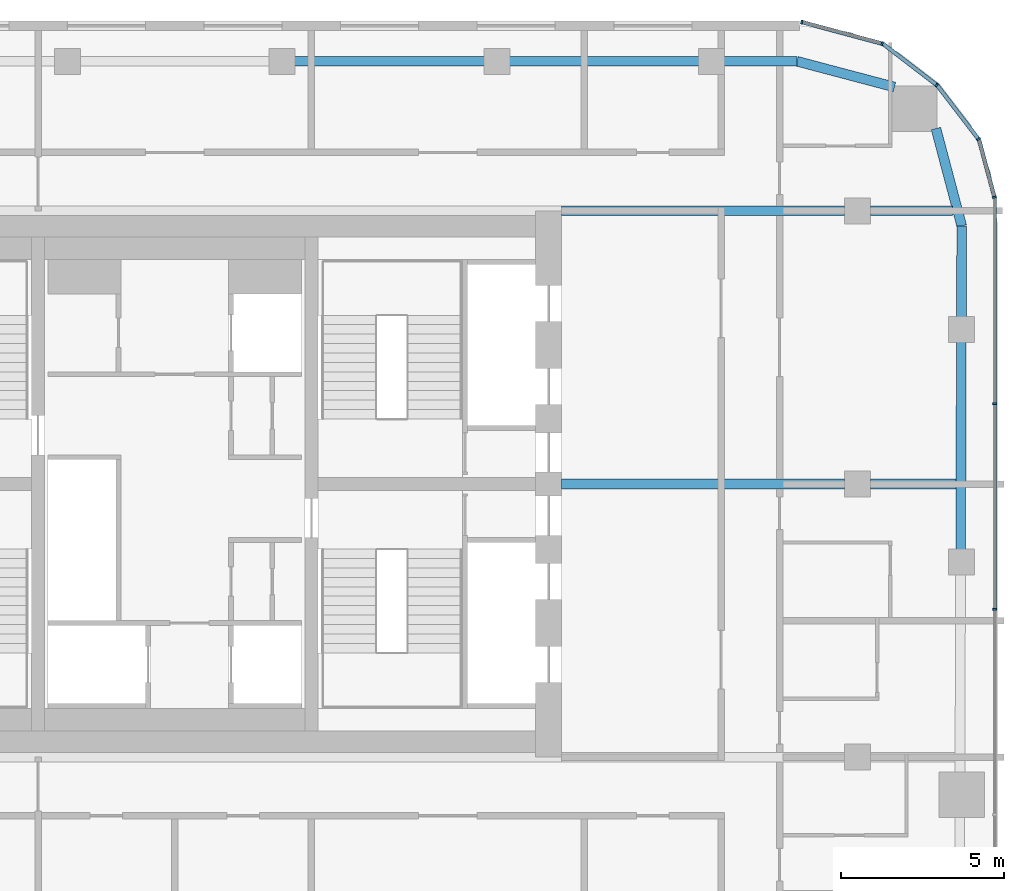
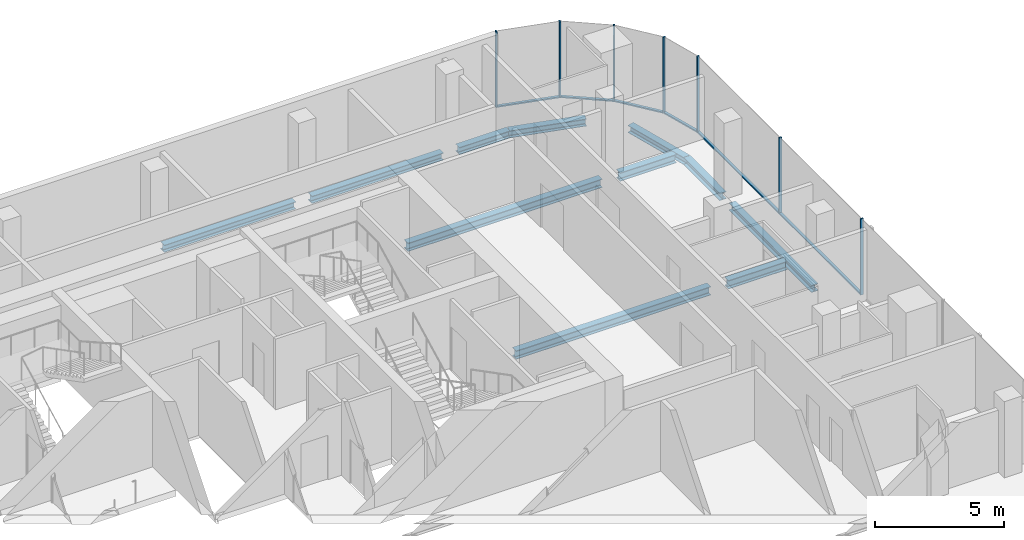
# One storey, part 11 of 22: 13 members, 11 beams, 5 elements without a shape of their own.
"""IFC4 building model written with IfcOpenShell, lengths in metres."""

from ifc_helpers import new_model, si_unit, direction, frame, origin, origin_2d, place, context, subcontext, project, spatial, rectangle, i_section, extrude, material, layer, layer_set, material_profile, profile_set, type_object, element, aggregate, save


model = new_model("IFC4")

# Units and contexts
model_context = context("Model", 3, precision=1e-05, world=origin(), true_north=direction((0.0, 1.0)))
body_context = subcontext(model_context, "Body", "Model", "MODEL_VIEW")
ifc_project = project(units=[si_unit("LENGTHUNIT", "METRE"), si_unit("AREAUNIT", "SQUARE_METRE"), si_unit("VOLUMEUNIT", "CUBIC_METRE"), si_unit("PLANEANGLEUNIT", "RADIAN"), si_unit("MASSUNIT", "GRAM", prefix="KILO")], contexts=[model_context])

# Site, building, storey
site_placement = place(None, origin())
site = spatial("IfcSite", under=ifc_project, at=site_placement, CompositionType="ELEMENT")
building_placement = place(site_placement, origin())
building = spatial("IfcBuilding", under=site, at=building_placement, Name="Marenta Gate Hotel Tower", CompositionType="ELEMENT")
storey_placement = place(building_placement, frame((0.0, 0.0, 187.699951171875)))
storey = spatial("IfcBuildingStorey", under=building, at=storey_placement, Name="L42", CompositionType="ELEMENT", Elevation=187.699951171875)

# Beams
ifc_material_1 = material(Name="Steel S355", Category="steel")
ifc_material_profile_1 = material_profile(ifc_material_1, i_section(OverallWidth=0.300048828125, OverallDepth=0.340087890625, WebThickness=0.011962890625, FlangeThickness=0.021484375, FilletRadius=0.027099609375, at=origin_2d()), Name="HEB 340")
ifc_profile_set_1 = profile_set([ifc_material_profile_1], Name="Steel S355")
beam_type_1 = type_object("IfcBeamType", Name="Edge beam HEB 340", PredefinedType="SPANDREL", material=ifc_profile_set_1)
for number, where, z_axis, x_axis, name in (
    (1, (3.661376953125, 21.39990234375, -0.429931640625), (1.0, 0.0, 0.0), (0.0, 1.0, 0.0), "L42-EB-17"),
    (2, (10.26416015625, 21.39990234375, -0.429931640625), (1.0, 0.0, 0.0), (0.0, 1.0, 0.0), "L42-EB-18"),
):
    element("IfcBeam", number, at=place(storey_placement, frame(where, z_axis=z_axis, x_axis=x_axis)), inside=storey, type_object=beam_type_1, Name=name, PredefinedType="SPANDREL", context=body_context, shape_type="SweptSolid", body=[
        extrude(i_section(OverallWidth=0.300048828125, OverallDepth=0.340087890625, WebThickness=0.011962890625, FlangeThickness=0.021484375, FilletRadius=0.027099609375, at=origin_2d()), origin(), (0.0, 0.0, 1.0), 5.8828125),
    ])
beam_1_placement = place(storey_placement, frame((16.866943359375, 21.39990234375, -0.429931640625), z_axis=(1.0, 0.0, 0.0), x_axis=(0.0, 1.0, 0.0)))
element("IfcBeam", 3, at=beam_1_placement, inside=storey, type_object=beam_type_1, Name="L42-EB-19", PredefinedType="SPANDREL", context=body_context, shape_type="SweptSolid", body=[
    extrude(i_section(OverallWidth=0.300048828125, OverallDepth=0.340087890625, WebThickness=0.011962890625, FlangeThickness=0.021484375, FilletRadius=0.027099609375, at=origin_2d()), origin(), (0.0, 0.0, 1.0), 2.267578125),
])
beam_2_placement = place(storey_placement, frame((19.134521484375, 21.39990234375, -0.429931640625), z_axis=(0.9667647815, -0.25566747398, 0.0), x_axis=(0.25566747398, 0.9667647815, 0.0)))
element("IfcBeam", 4, at=beam_2_placement, inside=storey, type_object=beam_type_1, Name="L42-EB-20", PredefinedType="SPANDREL", context=body_context, shape_type="SweptSolid", body=[
    extrude(i_section(OverallWidth=0.300048828125, OverallDepth=0.340087890625, WebThickness=0.011962890625, FlangeThickness=0.021484375, FilletRadius=0.027099609375, at=origin_2d()), origin(), (0.0, 0.0, 1.0), 3.1005859375),
])
beam_3_placement = place(storey_placement, frame((23.4072265625, 19.332275390625, -0.429931640625), z_axis=(0.255648013319, -0.966769927794, 0.0), x_axis=(0.966769927794, 0.255648013319, 0.0)))
element("IfcBeam", 5, at=beam_3_placement, inside=storey, type_object=beam_type_1, Name="L42-EB-21", PredefinedType="SPANDREL", context=body_context, shape_type="SweptSolid", body=[
    extrude(i_section(OverallWidth=0.300048828125, OverallDepth=0.340087890625, WebThickness=0.011962890625, FlangeThickness=0.021484375, FilletRadius=0.027099609375, at=origin_2d()), origin(), (0.0, 0.0, 1.0), 3.100830078125),
])
beam_4_placement = place(storey_placement, frame((24.199951171875, 16.33447265625, -0.429931640625), z_axis=(-0.003292020626, -0.999994581285, 0.0), x_axis=(0.999994581285, -0.003292020626, 0.0)))
element("IfcBeam", 6, at=beam_4_placement, inside=storey, type_object=beam_type_1, Name="L42-EB-22", PredefinedType="SPANDREL", context=body_context, shape_type="SweptSolid", body=[
    extrude(i_section(OverallWidth=0.300048828125, OverallDepth=0.340087890625, WebThickness=0.011962890625, FlangeThickness=0.021484375, FilletRadius=0.027099609375, at=origin_2d()), origin(), (0.0, 0.0, 1.0), 2.818115234375),
])
beam_5_placement = place(storey_placement, frame((24.188232421875, 12.79638671875, -0.429931640625), z_axis=(-0.00333963982, -0.999994423387, 0.0), x_axis=(0.999994423387, -0.00333963982, 0.0)))
element("IfcBeam", 7, at=beam_5_placement, inside=storey, type_object=beam_type_1, Name="L42-EB-23", PredefinedType="SPANDREL", context=body_context, shape_type="SweptSolid", body=[
    extrude(i_section(OverallWidth=0.300048828125, OverallDepth=0.340087890625, WebThickness=0.011962890625, FlangeThickness=0.021484375, FilletRadius=0.027099609375, at=origin_2d()), origin(), (0.0, 0.0, 1.0), 6.43310546875),
])
ifc_material_2 = material(Name="Steel S355", Category="steel")
ifc_material_profile_2 = material_profile(ifc_material_2, i_section(OverallWidth=0.300048828125, OverallDepth=0.39990234375, WebThickness=0.013427734375, FlangeThickness=0.02392578125, FilletRadius=0.027099609375, at=origin_2d()), Name="HEB 400")
ifc_profile_set_2 = profile_set([ifc_material_profile_2], Name="Steel S355")
beam_type_2 = type_object("IfcBeamType", Name="Girder HEB 400", PredefinedType="BEAM", material=ifc_profile_set_2)
beam_6_placement = place(storey_placement, frame((11.89990234375, 8.39990234375, -0.4599609375), z_axis=(1.0, 0.0, 0.0), x_axis=(0.0, 1.0, 0.0)))
element("IfcBeam", 8, at=beam_6_placement, inside=storey, type_object=beam_type_2, Name="L42-GD-27", PredefinedType="BEAM", context=body_context, shape_type="SweptSolid", body=[
    extrude(i_section(OverallWidth=0.300048828125, OverallDepth=0.39990234375, WebThickness=0.013427734375, FlangeThickness=0.02392578125, FilletRadius=0.027099609375, at=origin_2d()), origin(), (0.0, 0.0, 1.0), 8.7001953125),
])
beam_7_placement = place(storey_placement, frame((21.39990234375, 8.39990234375, -0.4599609375), z_axis=(1.0, 0.0, 0.0), x_axis=(0.0, 1.0, 0.0)))
element("IfcBeam", 9, at=beam_7_placement, inside=storey, type_object=beam_type_2, Name="L42-GD-28", PredefinedType="BEAM", context=body_context, shape_type="SweptSolid", body=[
    extrude(i_section(OverallWidth=0.300048828125, OverallDepth=0.39990234375, WebThickness=0.013427734375, FlangeThickness=0.02392578125, FilletRadius=0.027099609375, at=origin_2d()), origin(), (0.0, 0.0, 1.0), 2.623779296875),
])
beam_8_placement = place(storey_placement, frame((11.89990234375, 16.800048828125, -0.4599609375), z_axis=(1.0, 0.0, 0.0), x_axis=(0.0, 1.0, 0.0)))
element("IfcBeam", 10, at=beam_8_placement, inside=storey, type_object=beam_type_2, Name="L42-GD-32", PredefinedType="BEAM", context=body_context, shape_type="SweptSolid", body=[
    extrude(i_section(OverallWidth=0.300048828125, OverallDepth=0.39990234375, WebThickness=0.013427734375, FlangeThickness=0.02392578125, FilletRadius=0.027099609375, at=origin_2d()), origin(), (0.0, 0.0, 1.0), 8.7001953125),
])
beam_9_placement = place(storey_placement, frame((21.39990234375, 16.800048828125, -0.4599609375), z_axis=(1.0, 0.0, 0.0), x_axis=(0.0, 1.0, 0.0)))
element("IfcBeam", 11, at=beam_9_placement, inside=storey, type_object=beam_type_2, Name="L42-GD-33", PredefinedType="BEAM", context=body_context, shape_type="SweptSolid", body=[
    extrude(i_section(OverallWidth=0.300048828125, OverallDepth=0.39990234375, WebThickness=0.013427734375, FlangeThickness=0.02392578125, FilletRadius=0.027099609375, at=origin_2d()), origin(), (0.0, 0.0, 1.0), 2.521728515625),
])

# Curtain wall, members
ifc_material_3 = material(Name="Tinted insulated glass in bronze anodised frame", Category="glass")
ifc_layer = layer(ifc_material_3, 0.1201171875)
ifc_layer_set = layer_set([ifc_layer], Name="Tinted insulated glass in bronze anodised frame")
curtain_wall_type = type_object("IfcCurtainWallType", Name="Tower unitised curtain wall CW1", PredefinedType="NOTDEFINED", material=ifc_layer_set)
curtain_wall_1_placement = place(storey_placement, origin())
curtain_wall_1 = element("IfcCurtainWall", 12, at=curtain_wall_1_placement, inside=storey, type_object=curtain_wall_type, Name="CW1 run G11", PredefinedType="NOTDEFINED")
ifc_material_4 = material(Name="Bronze anodised aluminium", Category="aluminium")
ifc_material_profile_3 = material_profile(ifc_material_4, rectangle(XDim=0.1201171875, YDim=0.06005859375, at=origin_2d()), Name="Mullion CW1 60x120 bronze anodised aluminium")
ifc_profile_set_3 = profile_set([ifc_material_profile_3], Name="Bronze anodised aluminium")
member_type_1 = type_object("IfcMemberType", Name="Mullion CW1 60x120 bronze anodised aluminium", PredefinedType="MULLION", material=ifc_profile_set_3)
member_1_placement = place(storey_placement, frame((25.214111328125, 4.546630859375, 0.0), z_axis=(0.0, 0.0, 1.0), x_axis=(-1.0, 0.0, 0.0)))
member_1 = element("IfcMember", 13, at=member_1_placement, type_object=member_type_1, Name="CW1 mullion 5", PredefinedType="MULLION", context=body_context, shape_type="SweptSolid", body=[
    extrude(rectangle(XDim=0.1201171875, YDim=0.06005859375, at=origin_2d()), origin(), (0.0, 0.0, 1.0), 3.60009765625),
])
member_2_placement = place(storey_placement, frame((25.214111328125, 10.869384765625, 0.0), z_axis=(0.0, 0.0, 1.0), x_axis=(-1.0, 0.0, 0.0)))
member_2 = element("IfcMember", 14, at=member_2_placement, type_object=member_type_1, Name="CW1 mullion 6", PredefinedType="MULLION", context=body_context, shape_type="SweptSolid", body=[
    extrude(rectangle(XDim=0.1201171875, YDim=0.06005859375, at=origin_2d()), origin(), (0.0, 0.0, 1.0), 3.60009765625),
])

# Curtain wall, member
curtain_wall_2_placement = place(storey_placement, origin())
curtain_wall_2 = element("IfcCurtainWall", 15, at=curtain_wall_2_placement, inside=storey, type_object=curtain_wall_type, Name="CW1 run G12", PredefinedType="NOTDEFINED")
member_3_placement = place(storey_placement, frame((25.206298828125, 17.220947265625, 0.0), z_axis=(0.0, 0.0, 1.0), x_axis=(-0.965924453932, -0.258824166754, 0.0)))
member_3 = element("IfcMember", 16, at=member_3_placement, type_object=member_type_1, Name="CW1 mullion 1", PredefinedType="MULLION", context=body_context, shape_type="SweptSolid", body=[
    extrude(rectangle(XDim=0.1201171875, YDim=0.06005859375, at=origin_2d()), origin(), (0.0, 0.0, 1.0), 3.60009765625),
])

curtain_wall_3_placement = place(storey_placement, origin())
curtain_wall_3 = element("IfcCurtainWall", 17, at=curtain_wall_3_placement, inside=storey, type_object=curtain_wall_type, Name="CW1 run G13", PredefinedType="NOTDEFINED")
member_4_placement = place(storey_placement, frame((24.7158203125, 19.00634765625, 0.0), z_axis=(0.0, 0.0, 1.0), x_axis=(-0.793333335233, -0.608787499222, 0.0)))
member_4 = element("IfcMember", 18, at=member_4_placement, type_object=member_type_1, Name="CW1 mullion 1", PredefinedType="MULLION", context=body_context, shape_type="SweptSolid", body=[
    extrude(rectangle(XDim=0.1201171875, YDim=0.06005859375, at=origin_2d()), origin(), (0.0, 0.0, 1.0), 3.60009765625),
])

curtain_wall_4_placement = place(storey_placement, origin())
curtain_wall_4 = element("IfcCurtainWall", 19, at=curtain_wall_4_placement, inside=storey, type_object=curtain_wall_type, Name="CW1 run G14", PredefinedType="NOTDEFINED")
member_5_placement = place(storey_placement, frame((23.4287109375, 20.6708984375, 0.0), z_axis=(0.0, 0.0, 1.0), x_axis=(-0.608787499222, -0.793333335233, 0.0)))
member_5 = element("IfcMember", 20, at=member_5_placement, type_object=member_type_1, Name="CW1 mullion 1", PredefinedType="MULLION", context=body_context, shape_type="SweptSolid", body=[
    extrude(rectangle(XDim=0.1201171875, YDim=0.06005859375, at=origin_2d()), origin(), (0.0, 0.0, 1.0), 3.60009765625),
])

# Curtain wall, members
curtain_wall_5_placement = place(storey_placement, origin())
curtain_wall_5 = element("IfcCurtainWall", 21, at=curtain_wall_5_placement, inside=storey, type_object=curtain_wall_type, Name="CW1 run G15", PredefinedType="NOTDEFINED")
member_6_placement = place(storey_placement, frame((21.75341796875, 21.94189453125, 0.0), z_axis=(0.0, 0.0, 1.0), x_axis=(-0.258804895175, -0.96592961764, 0.0)))
member_6 = element("IfcMember", 22, at=member_6_placement, type_object=member_type_1, Name="CW1 mullion 1", PredefinedType="MULLION", context=body_context, shape_type="SweptSolid", body=[
    extrude(rectangle(XDim=0.1201171875, YDim=0.06005859375, at=origin_2d()), origin(), (0.0, 0.0, 1.0), 3.60009765625),
])
member_7_placement = place(storey_placement, frame((19.285400390625, 22.603271484375, 0.0), z_axis=(0.0, 0.0, 1.0), x_axis=(-0.258804895175, -0.96592961764, 0.0)))
member_7 = element("IfcMember", 23, at=member_7_placement, type_object=member_type_1, Name="CW1 mullion 2", PredefinedType="MULLION", context=body_context, shape_type="SweptSolid", body=[
    extrude(rectangle(XDim=0.1201171875, YDim=0.06005859375, at=origin_2d()), origin(), (0.0, 0.0, 1.0), 3.60009765625),
])

# Member
ifc_material_5 = material(Name="Bronze anodised aluminium", Category="aluminium")
ifc_material_profile_4 = material_profile(ifc_material_5, rectangle(XDim=0.1201171875, YDim=0.06005859375, at=origin_2d()), Name="Transom CW1 60x120 bronze anodised aluminium")
ifc_profile_set_4 = profile_set([ifc_material_profile_4], Name="Bronze anodised aluminium")
member_type_2 = type_object("IfcMemberType", Name="Transom CW1 60x120 bronze anodised aluminium", PredefinedType="USERDEFINED", material=ifc_profile_set_4)
member_8_placement = place(storey_placement, frame((25.214111328125, 4.57666015625, 0.030029296875), z_axis=(0.0, 1.0, 0.0), x_axis=(-1.0, 0.0, 0.0)))
member_8 = element("IfcMember", 24, at=member_8_placement, type_object=member_type_2, Name="CW1 transom 5.1", ObjectType="TRANSOM", PredefinedType="USERDEFINED", context=body_context, shape_type="SweptSolid", body=[
    extrude(rectangle(XDim=0.1201171875, YDim=0.06005859375, at=origin_2d()), origin(), (0.0, 0.0, 1.0), 6.2626953125),
])

member_9_placement = place(storey_placement, frame((25.214111328125, 10.899169921875, 0.030029296875), z_axis=(0.0, 1.0, 0.0), x_axis=(-1.0, 0.0, 0.0)))
member_9 = element("IfcMember", 25, at=member_9_placement, type_object=member_type_2, Name="CW1 transom 6.1", ObjectType="TRANSOM", PredefinedType="USERDEFINED", context=body_context, shape_type="SweptSolid", body=[
    extrude(rectangle(XDim=0.1201171875, YDim=0.06005859375, at=origin_2d()), origin(), (0.0, 0.0, 1.0), 6.292724609375),
])

aggregate(curtain_wall_1, [member_1, member_2, member_8, member_9])

member_10_placement = place(storey_placement, frame((25.198486328125, 17.249755859375, 0.030029296875), z_axis=(-0.258865341007, 0.96591342015, 0.0), x_axis=(-0.96591342015, -0.258865341007, 0.0)))
member_10 = element("IfcMember", 26, at=member_10_placement, type_object=member_type_2, Name="CW1 transom 1.1", ObjectType="TRANSOM", PredefinedType="USERDEFINED", context=body_context, shape_type="SweptSolid", body=[
    extrude(rectangle(XDim=0.1201171875, YDim=0.06005859375, at=origin_2d()), origin(), (0.0, 0.0, 1.0), 1.793701171875),
])

aggregate(curtain_wall_2, [member_3, member_10])

member_11_placement = place(storey_placement, frame((24.69775390625, 19.030029296875, 0.030029296875), z_axis=(-0.608787337271, 0.79333345951, 0.0), x_axis=(-0.79333345951, -0.608787337271, 0.0)))
member_11 = element("IfcMember", 27, at=member_11_placement, type_object=member_type_2, Name="CW1 transom 1.1", ObjectType="TRANSOM", PredefinedType="USERDEFINED", context=body_context, shape_type="SweptSolid", body=[
    extrude(rectangle(XDim=0.1201171875, YDim=0.06005859375, at=origin_2d()), origin(), (0.0, 0.0, 1.0), 2.045166015625),
])

aggregate(curtain_wall_3, [member_4, member_11])

member_12_placement = place(storey_placement, frame((23.405029296875, 20.689208984375, 0.030029296875), z_axis=(-0.793391112466, 0.60871220019, 0.0), x_axis=(-0.60871220019, -0.793391112466, 0.0)))
member_12 = element("IfcMember", 28, at=member_12_placement, type_object=member_type_2, Name="CW1 transom 1.1", ObjectType="TRANSOM", PredefinedType="USERDEFINED", context=body_context, shape_type="SweptSolid", body=[
    extrude(rectangle(XDim=0.1201171875, YDim=0.06005859375, at=origin_2d()), origin(), (0.0, 0.0, 1.0), 2.045166015625),
])

aggregate(curtain_wall_4, [member_5, member_12])

member_13_placement = place(storey_placement, frame((21.724609375, 21.94970703125, 0.030029296875), z_axis=(-0.965930582093, 0.258801295547, 0.0), x_axis=(-0.258801295547, -0.965930582093, 0.0)))
member_13 = element("IfcMember", 29, at=member_13_placement, type_object=member_type_2, Name="CW1 transom 1.1", ObjectType="TRANSOM", PredefinedType="USERDEFINED", context=body_context, shape_type="SweptSolid", body=[
    extrude(rectangle(XDim=0.1201171875, YDim=0.06005859375, at=origin_2d()), origin(), (0.0, 0.0, 1.0), 2.4951171875),
])

aggregate(curtain_wall_5, [member_6, member_7, member_13])

save(model, "model.ifc")
